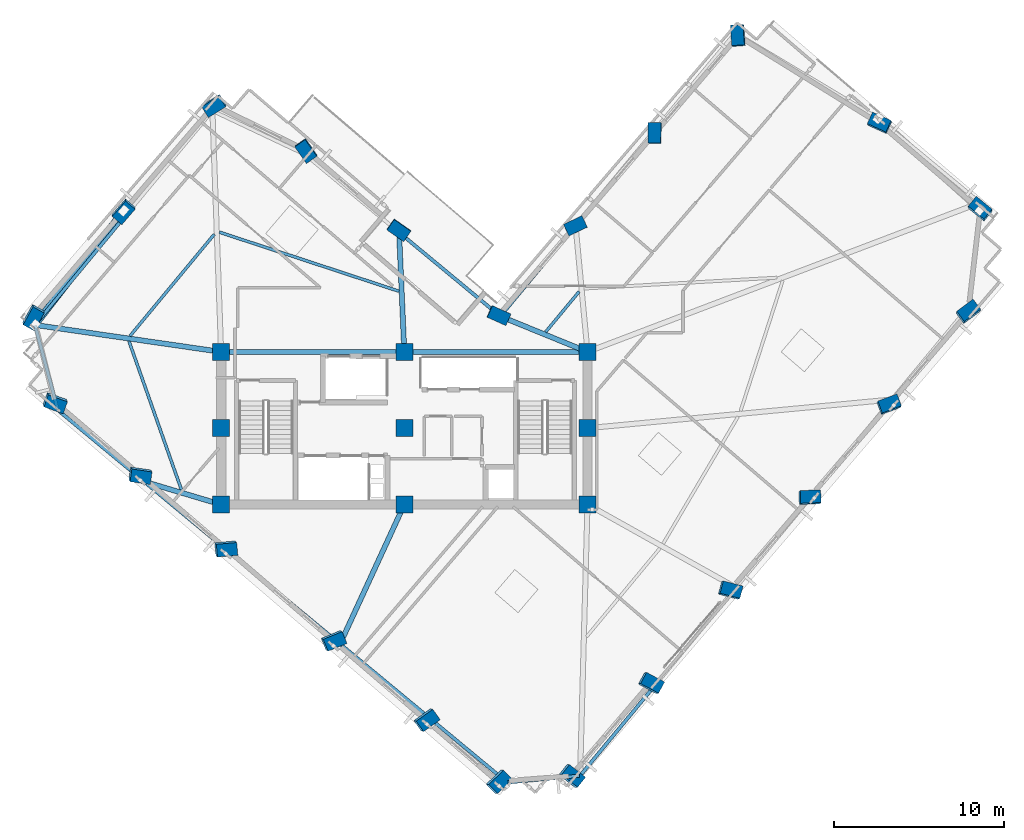
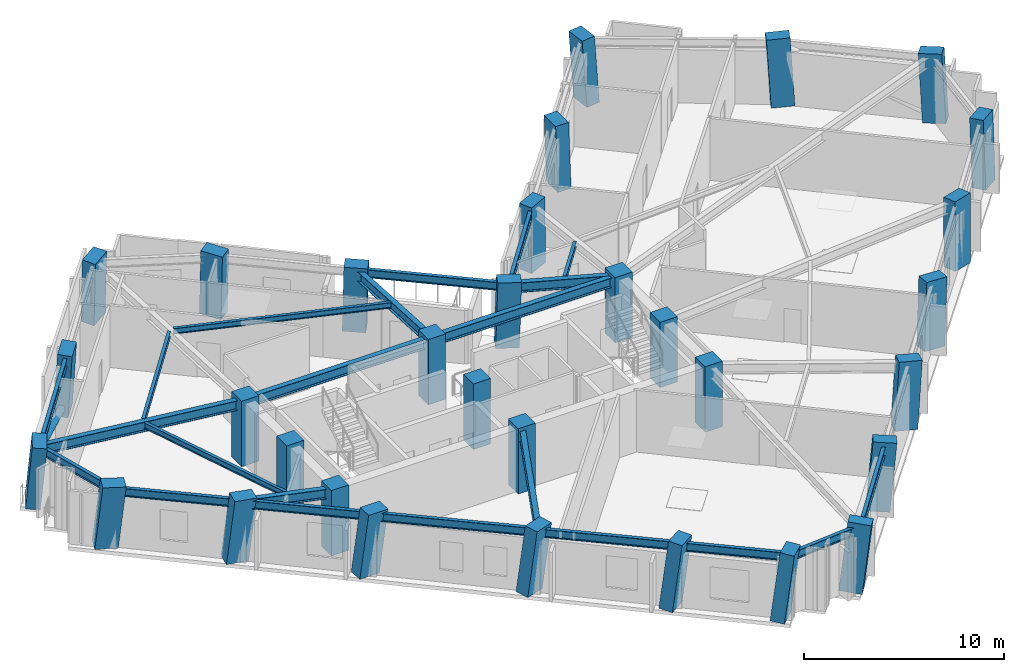
# One storey, part 1 of 12: 32 columns, 22 beams, 1 member.
"""IFC4 building model written with IfcOpenShell, lengths in metres."""

from ifc_helpers import new_model, si_unit, direction, frame, origin, origin_2d, place, context, subcontext, project, spatial, rectangle, hollow_circle, i_section, extrude, material, material_profile, profile_set, type_object, element, save


model = new_model("IFC4")

# Units and contexts
model_context = context("Model", 3, precision=1e-05, world=origin(), true_north=direction((0.0, 1.0)))
body_context = subcontext(model_context, "Body", "Model", "MODEL_VIEW")
ifc_project = project(units=[si_unit("LENGTHUNIT", "METRE"), si_unit("AREAUNIT", "SQUARE_METRE"), si_unit("VOLUMEUNIT", "CUBIC_METRE"), si_unit("PLANEANGLEUNIT", "RADIAN"), si_unit("MASSUNIT", "GRAM", prefix="KILO")], contexts=[model_context])

# Site, building, storey
site_placement = place(None, origin())
site = spatial("IfcSite", under=ifc_project, at=site_placement, CompositionType="ELEMENT")
building_placement = place(site_placement, origin())
building = spatial("IfcBuilding", under=site, at=building_placement, Name="Gaonmaruhae Medical Tower", CompositionType="ELEMENT")
storey_placement = place(building_placement, frame((0.0, 0.0, 235.199951171875)))
storey = spatial("IfcBuildingStorey", under=building, at=storey_placement, Name="L56", CompositionType="ELEMENT", Elevation=235.199951171875)

# Columns
ifc_material_1 = material(Name="Concrete C50/60", Category="concrete")
ifc_material_profile_1 = material_profile(ifc_material_1, rectangle(XDim=1.0, YDim=1.0, at=origin_2d()), Name="RC-1000x1000")
ifc_profile_set_1 = profile_set([ifc_material_profile_1], Name="Concrete C50/60")
column_type_1 = type_object("IfcColumnType", Name="CC-05 Zone 4 Core Column (RC-1000x1000)", PredefinedType="COLUMN", material=ifc_profile_set_1)
for number, where, z_axis, x_axis, name in (
    (1, (14.0, 7.800048828125, 0.0), (0.0, 0.0, 1.0), (1.0, 0.0, 0.0), "L56 Plumb Core Column CC11"),
    (2, (14.0, 12.300048828125, 0.0), (0.0, 0.0, 1.0), (1.0, 0.0, 0.0), "L56 Plumb Core Column CC12"),
    (3, (14.0, 16.800048828125, 0.0), (0.0, 0.0, 1.0), (1.0, 0.0, 0.0), "L56 Plumb Core Column CC13"),
    (4, (24.800048828125, 7.800048828125, 0.0), (0.0, 0.0, 1.0), (1.0, 0.0, 0.0), "L56 Plumb Core Column CC21"),
    (5, (24.800048828125, 12.300048828125, 0.0), (0.0, 0.0, 1.0), (1.0, 0.0, 0.0), "L56 Plumb Core Column CC22"),
    (6, (24.800048828125, 16.800048828125, 0.0), (0.0, 0.0, 1.0), (1.0, 0.0, 0.0), "L56 Plumb Core Column CC23"),
    (7, (35.60009765625, 7.800048828125, 0.0), (0.0, 0.0, 1.0), (1.0, 0.0, 0.0), "L56 Plumb Core Column CC31"),
    (8, (35.60009765625, 12.300048828125, 0.0), (0.0, 0.0, 1.0), (1.0, 0.0, 0.0), "L56 Plumb Core Column CC32"),
    (9, (35.60009765625, 16.800048828125, 0.0), (0.0, 0.0, 1.0), (1.0, 0.0, 0.0), "L56 Plumb Core Column CC33"),
):
    element("IfcColumn", number, at=place(storey_placement, frame(where, z_axis=z_axis, x_axis=x_axis)), inside=storey, type_object=column_type_1, Name=name, PredefinedType="COLUMN", context=body_context, shape_type="SweptSolid", body=[
        extrude(rectangle(XDim=1.0, YDim=1.0, at=origin_2d()), origin(), (0.0, 0.0, 1.0), 4.0),
    ])
ifc_material_profile_2 = material_profile(ifc_material_1, rectangle(XDim=1.199951171875, YDim=0.75, at=origin_2d()), Name="RC-1200x750")
ifc_profile_set_2 = profile_set([ifc_material_profile_2], Name="Concrete C50/60")
column_type_2 = type_object("IfcColumnType", Name="TC-03 Upper Raking Tube Pier Column (RC-1200x750)", PredefinedType="COLUMN", material=ifc_profile_set_2)
column_1_placement = place(storey_placement, frame((34.615234375, -8.2060546875, 0.001953125), z_axis=(0.135519125513, 0.005326343477, 0.990760413362), x_axis=(-0.77723342026, 0.620728856332, 0.102975226868)))
element("IfcColumn", 10, at=column_1_placement, inside=storey, type_object=column_type_2, Name="L56 Perimeter Tube Column S01", PredefinedType="COLUMN", context=body_context, shape_type="SweptSolid", body=[
    extrude(rectangle(XDim=1.199951171875, YDim=0.75, at=origin_2d()), origin(), (0.0, 0.0, 1.0), 4.03369140625),
])
column_2_placement = place(storey_placement, frame((39.30078125, -2.7392578125, 0.001953125), z_axis=(0.113168643504, 0.024454135835, 0.993274812611), x_axis=(-0.874602145866, 0.476805111493, 0.087908885217)))
element("IfcColumn", 11, at=column_2_placement, inside=storey, type_object=column_type_2, Name="L56 Perimeter Tube Column S02", PredefinedType="COLUMN", context=body_context, shape_type="SweptSolid", body=[
    extrude(rectangle(XDim=1.199951171875, YDim=0.75, at=origin_2d()), origin(), (0.0, 0.0, 1.0), 4.0234375),
])
column_3_placement = place(storey_placement, frame((43.986328125, 2.7275390625, 0.001953125), z_axis=(0.090624858315, 0.043640944514, 0.994928441154), x_axis=(-0.962966902478, 0.258577139403, 0.076371511119)))
element("IfcColumn", 12, at=column_3_placement, inside=storey, type_object=column_type_2, Name="L56 Perimeter Tube Column S03", PredefinedType="COLUMN", context=body_context, shape_type="SweptSolid", body=[
    extrude(rectangle(XDim=1.199951171875, YDim=0.75, at=origin_2d()), origin(), (0.0, 0.0, 1.0), 4.0166015625),
])
column_4_placement = place(storey_placement, frame((48.671630859375, 8.1943359375, 0.001953125), z_axis=(0.068067236507, 0.062775145733, 0.995703837691), x_axis=(-0.996940796812, -0.034150749565, 0.070304864389)))
element("IfcColumn", 13, at=column_4_placement, inside=storey, type_object=column_type_2, Name="L56 Perimeter Tube Column S04", PredefinedType="COLUMN", context=body_context, shape_type="SweptSolid", body=[
    extrude(rectangle(XDim=1.199951171875, YDim=0.75, at=origin_2d()), origin(), (0.0, 0.0, 1.0), 4.013671875),
])
column_5_placement = place(storey_placement, frame((53.357177734375, 13.6611328125, 0.001953125), z_axis=(0.045312949129, 0.081928244936, 0.995607603086), x_axis=(-0.935339824004, -0.346534507037, 0.071086208679)))
element("IfcColumn", 14, at=column_5_placement, inside=storey, type_object=column_type_2, Name="L56 Perimeter Tube Column S05", PredefinedType="COLUMN", context=body_context, shape_type="SweptSolid", body=[
    extrude(rectangle(XDim=1.199951171875, YDim=0.75, at=origin_2d()), origin(), (0.0, 0.0, 1.0), 4.013916015625),
])
column_6_placement = place(storey_placement, frame((58.042724609375, 19.1279296875, 0.001953125), z_axis=(0.022543132475, 0.100988372435, 0.994632171112), x_axis=(-0.799671411694, -0.595275745742, 0.078564749414)))
element("IfcColumn", 15, at=column_6_placement, inside=storey, type_object=column_type_2, Name="L56 Perimeter Tube Column S06", PredefinedType="COLUMN", context=body_context, shape_type="SweptSolid", body=[
    extrude(rectangle(XDim=1.199951171875, YDim=0.75, at=origin_2d()), origin(), (0.0, 0.0, 1.0), 4.017822265625),
])
column_7_placement = place(storey_placement, frame((58.74755859375, 25.175048828125, 0.001953125), z_axis=(-0.002369710442, 0.103659641367, 0.994610005592), x_axis=(0.773865953742, -0.629744700477, 0.067476646784)))
element("IfcColumn", 16, at=column_7_placement, inside=storey, type_object=column_type_2, Name="L56 Perimeter Tube Column E01", PredefinedType="COLUMN", context=body_context, shape_type="SweptSolid", body=[
    extrude(rectangle(XDim=1.199951171875, YDim=0.75, at=origin_2d()), origin(), (0.0, 0.0, 1.0), 4.01806640625),
])
column_8_placement = place(storey_placement, frame((52.8251953125, 30.2509765625, 0.001953125), z_axis=(-0.023135441206, 0.07920844476, 0.996589571308), x_axis=(0.910653039281, -0.409667287517, 0.053700610666)))
element("IfcColumn", 17, at=column_8_placement, inside=storey, type_object=column_type_2, Name="L56 Perimeter Tube Column E02", PredefinedType="COLUMN", context=body_context, shape_type="SweptSolid", body=[
    extrude(rectangle(XDim=1.199951171875, YDim=0.75, at=origin_2d()), origin(), (0.0, 0.0, 1.0), 4.010009765625),
])
column_9_placement = place(storey_placement, frame((44.484130859375, 35.424560546875, 0.001953125), z_axis=(-0.04432527086, 0.044630121416, 0.998019750619), x_axis=(0.072242174873, -0.996243007169, 0.047759175416)))
element("IfcColumn", 18, at=column_9_placement, inside=storey, type_object=column_type_2, Name="L56 Perimeter Tube Column E03", PredefinedType="COLUMN", context=body_context, shape_type="SweptSolid", body=[
    extrude(rectangle(XDim=1.199951171875, YDim=0.75, at=origin_2d()), origin(), (0.0, 0.0, 1.0), 4.004150390625),
])
column_10_placement = place(storey_placement, frame((39.57080078125, 29.69189453125, 0.001953125), z_axis=(-0.020455033896, 0.024607100478, 0.999487909979), x_axis=(-0.015334973409, -0.999587193409, 0.024295706693)))
element("IfcColumn", 19, at=column_10_placement, inside=storey, type_object=column_type_2, Name="L56 Perimeter Tube Column EN01", PredefinedType="COLUMN", context=body_context, shape_type="SweptSolid", body=[
    extrude(rectangle(XDim=1.199951171875, YDim=0.75, at=origin_2d()), origin(), (0.0, 0.0, 1.0), 3.998291015625),
])
column_11_placement = place(storey_placement, frame((34.88525390625, 24.22509765625, 0.001953125), z_axis=(0.002382511195, 0.005375922696, 0.999982711398), x_axis=(-0.902595371607, -0.430466795251, 0.004464676979)))
element("IfcColumn", 20, at=column_11_placement, inside=storey, type_object=column_type_2, Name="L56 Perimeter Tube Column EN02", PredefinedType="COLUMN", context=body_context, shape_type="SweptSolid", body=[
    extrude(rectangle(XDim=1.199951171875, YDim=0.75, at=origin_2d()), origin(), (0.0, 0.0, 1.0), 3.996337890625),
])
column_12_placement = place(storey_placement, frame((30.362548828125, 18.9482421875, 0.001953125), z_axis=(0.024365965773, -0.013251665596, 0.999615272528), x_axis=(-0.912212011302, 0.408784133134, 0.027654636777)))
element("IfcColumn", 21, at=column_12_placement, inside=storey, type_object=column_type_2, Name="L56 Perimeter Tube Column KN01", PredefinedType="COLUMN", context=body_context, shape_type="SweptSolid", body=[
    extrude(rectangle(XDim=1.199951171875, YDim=0.75, at=origin_2d()), origin(), (0.0, 0.0, 1.0), 3.997802734375),
])
column_13_placement = place(storey_placement, frame((24.47802734375, 23.99169921875, 0.001953125), z_axis=(0.003662822632, -0.037788120151, 0.999279060976), x_axis=(-0.818469733864, 0.574018178548, 0.024706789453)))
element("IfcColumn", 22, at=column_13_placement, inside=storey, type_object=column_type_2, Name="L56 Perimeter Tube Column NE01", PredefinedType="COLUMN", context=body_context, shape_type="SweptSolid", body=[
    extrude(rectangle(XDim=1.199951171875, YDim=0.75, at=origin_2d()), origin(), (0.0, 0.0, 1.0), 3.999267578125),
])
column_14_placement = place(storey_placement, frame((19.01123046875, 28.67724609375, 0.001953125), z_axis=(-0.015547819473, -0.060484066342, 0.998048066492), x_axis=(-0.573662062266, 0.81808320883, 0.040641133684)))
element("IfcColumn", 23, at=column_14_placement, inside=storey, type_object=column_type_2, Name="L56 Perimeter Tube Column NE02", PredefinedType="COLUMN", context=body_context, shape_type="SweptSolid", body=[
    extrude(rectangle(XDim=1.199951171875, YDim=0.75, at=origin_2d()), origin(), (0.0, 0.0, 1.0), 4.004150390625),
])
column_15_placement = place(storey_placement, frame((13.593505859375, 31.34521484375, 0.001953125), z_axis=(-0.026352323059, -0.082830281023, 0.996215187404), x_axis=(0.849466173401, 0.523499420326, 0.065996796637)))
element("IfcColumn", 24, at=column_15_placement, inside=storey, type_object=column_type_2, Name="L56 Perimeter Tube Column N01", PredefinedType="COLUMN", context=body_context, shape_type="SweptSolid", body=[
    extrude(rectangle(XDim=1.199951171875, YDim=0.75, at=origin_2d()), origin(), (0.0, 0.0, 1.0), 4.011474609375),
])
column_16_placement = place(storey_placement, frame((8.257080078125, 25.119140625, 0.001953125), z_axis=(-0.000425298844, -0.104441244629, 0.994530967613), x_axis=(0.653843741957, 0.752462548774, 0.079299897827)))
element("IfcColumn", 25, at=column_16_placement, inside=storey, type_object=column_type_2, Name="L56 Perimeter Tube Column N02", PredefinedType="COLUMN", context=body_context, shape_type="SweptSolid", body=[
    extrude(rectangle(XDim=1.199951171875, YDim=0.75, at=origin_2d()), origin(), (0.0, 0.0, 1.0), 4.018310546875),
])
column_17_placement = place(storey_placement, frame((2.9208984375, 18.89306640625, 0.001953125), z_axis=(0.025324638917, -0.125896171458, 0.991720130216), x_axis=(0.489502384255, 0.866533533922, 0.097504104519)))
element("IfcColumn", 26, at=column_17_placement, inside=storey, type_object=column_type_2, Name="L56 Perimeter Tube Column N03", PredefinedType="COLUMN", context=body_context, shape_type="SweptSolid", body=[
    extrude(rectangle(XDim=1.199951171875, YDim=0.75, at=origin_2d()), origin(), (0.0, 0.0, 1.0), 4.02978515625),
])
column_18_placement = place(storey_placement, frame((4.1953125, 13.849609375, 0.001953125), z_axis=(0.04604134105, -0.120495035985, 0.991645673221), x_axis=(-0.939600176639, 0.331820483893, 0.083944472888)))
element("IfcColumn", 27, at=column_18_placement, inside=storey, type_object=column_type_2, Name="L56 Perimeter Tube Column W01", PredefinedType="COLUMN", context=body_context, shape_type="SweptSolid", body=[
    extrude(rectangle(XDim=1.199951171875, YDim=0.75, at=origin_2d()), origin(), (0.0, 0.0, 1.0), 4.030029296875),
])
column_19_placement = place(storey_placement, frame((9.20654296875, 9.554443359375, 0.001953125), z_axis=(0.063573347941, -0.099848979686, 0.992969592026), x_axis=(-0.987528780207, 0.137306174889, 0.077031958307)))
element("IfcColumn", 28, at=column_19_placement, inside=storey, type_object=column_type_2, Name="L56 Perimeter Tube Column W02", PredefinedType="COLUMN", context=body_context, shape_type="SweptSolid", body=[
    extrude(rectangle(XDim=1.199951171875, YDim=0.75, at=origin_2d()), origin(), (0.0, 0.0, 1.0), 4.024658203125),
])
column_20_placement = place(storey_placement, frame((14.255859375, 5.226806640625, 0.001953125), z_axis=(0.081274051024, -0.078967543228, 0.99355858194), x_axis=(-0.99283882501, -0.093982271307, 0.07374550991)))
element("IfcColumn", 29, at=column_20_placement, inside=storey, type_object=column_type_2, Name="L56 Perimeter Tube Column W03", PredefinedType="COLUMN", context=body_context, shape_type="SweptSolid", body=[
    extrude(rectangle(XDim=1.199951171875, YDim=0.75, at=origin_2d()), origin(), (0.0, 0.0, 1.0), 4.022216796875),
])
column_21_placement = place(storey_placement, frame((20.595703125, -0.20703125, 0.001953125), z_axis=(0.103396002272, -0.052668855617, 0.993244812905), x_axis=(-0.920587778844, -0.383165405543, 0.075514326052)))
element("IfcColumn", 30, at=column_21_placement, inside=storey, type_object=column_type_2, Name="L56 Perimeter Tube Column W04", PredefinedType="COLUMN", context=body_context, shape_type="SweptSolid", body=[
    extrude(rectangle(XDim=1.199951171875, YDim=0.75, at=origin_2d()), origin(), (0.0, 0.0, 1.0), 4.0234375),
])
column_22_placement = place(storey_placement, frame((26.0625, -4.892578125, 0.001953125), z_axis=(0.122360142689, -0.029999143453, 0.992032281165), x_axis=(-0.807816098541, -0.583704776737, 0.081987099913)))
element("IfcColumn", 31, at=column_22_placement, inside=storey, type_object=column_type_2, Name="L56 Perimeter Tube Column W05", PredefinedType="COLUMN", context=body_context, shape_type="SweptSolid", body=[
    extrude(rectangle(XDim=1.199951171875, YDim=0.75, at=origin_2d()), origin(), (0.0, 0.0, 1.0), 4.0283203125),
])
column_23_placement = place(storey_placement, frame((30.314453125, -8.536865234375, 0.001953125), z_axis=(0.136995546828, -0.012344121711, 0.990494746482), x_axis=(-0.710126385999, -0.698360720078, 0.089514359521)))
element("IfcColumn", 32, at=column_23_placement, inside=storey, type_object=column_type_2, Name="L56 Perimeter Tube Column W06", PredefinedType="COLUMN", context=body_context, shape_type="SweptSolid", body=[
    extrude(rectangle(XDim=1.199951171875, YDim=0.75, at=origin_2d()), origin(), (0.0, 0.0, 1.0), 4.03466796875),
])

# Beams
ifc_material_2 = material(Name="Steel SM355", Category="steel")
ifc_material_profile_3 = material_profile(ifc_material_2, i_section(OverallWidth=0.175048828125, OverallDepth=0.35009765625, WebThickness=0.007080078125, FlangeThickness=0.010986328125, FilletRadius=0.012939453125, at=origin_2d()), Name="H-350x175x7x11")
ifc_profile_set_3 = profile_set([ifc_material_profile_3], Name="Steel SM355")
beam_type_1 = type_object("IfcBeamType", Name="FJ-02 Upper Zone Ward Floor Joist (H-350x175x7x11)", PredefinedType="JOIST", material=ifc_profile_set_3)
beam_1_placement = place(storey_placement, frame((35.1083984375, 20.35546875, 3.60498046875), z_axis=(-0.638094063131, -0.769958418745, 0.0), x_axis=(0.769958418745, -0.638094063131, 0.0)))
element("IfcBeam", 33, at=beam_1_placement, inside=storey, type_object=beam_type_1, Name="L56 Secondary Floor Joist FJ05", PredefinedType="JOIST", context=body_context, shape_type="SweptSolid", body=[
    extrude(i_section(OverallWidth=0.175048828125, OverallDepth=0.35009765625, WebThickness=0.007080078125, FlangeThickness=0.010986328125, FilletRadius=0.012939453125, at=origin_2d()), origin(), (0.0, 0.0, 1.0), 3.09375),
])
beam_2_placement = place(storey_placement, frame((24.48828125, 20.372314453125, 3.60498046875), z_axis=(-0.949935371914, 0.312446458113, 0.0), x_axis=(-0.312446458113, -0.949935371914, 0.0)))
element("IfcBeam", 34, at=beam_2_placement, inside=storey, type_object=beam_type_1, Name="L56 Secondary Floor Joist FJ07", PredefinedType="JOIST", context=body_context, shape_type="SweptSolid", body=[
    extrude(i_section(OverallWidth=0.175048828125, OverallDepth=0.35009765625, WebThickness=0.007080078125, FlangeThickness=0.010986328125, FilletRadius=0.012939453125, at=origin_2d()), origin(), (0.0, 0.0, 1.0), 11.144775390625),
])
beam_3_placement = place(storey_placement, frame((13.59619140625, 23.728271484375, 3.60498046875), z_axis=(-0.638091159914, -0.769960824743, 0.0), x_axis=(0.769960824743, -0.638091159914, 0.0)))
element("IfcBeam", 35, at=beam_3_placement, inside=storey, type_object=beam_type_1, Name="L56 Secondary Floor Joist FJ08", PredefinedType="JOIST", context=body_context, shape_type="SweptSolid", body=[
    extrude(i_section(OverallWidth=0.175048828125, OverallDepth=0.35009765625, WebThickness=0.007080078125, FlangeThickness=0.010986328125, FilletRadius=0.012939453125, at=origin_2d()), origin(), (0.0, 0.0, 1.0), 7.786865234375),
])
beam_4_placement = place(storey_placement, frame((8.56982421875, 17.427490234375, 3.60498046875), z_axis=(0.333020555705, -0.942919566812, 0.0), x_axis=(0.942919566812, 0.333020555705, 0.0)))
element("IfcBeam", 36, at=beam_4_placement, inside=storey, type_object=beam_type_1, Name="L56 Secondary Floor Joist FJ09", PredefinedType="JOIST", context=body_context, shape_type="SweptSolid", body=[
    extrude(i_section(OverallWidth=0.175048828125, OverallDepth=0.35009765625, WebThickness=0.007080078125, FlangeThickness=0.010986328125, FilletRadius=0.012939453125, at=origin_2d()), origin(), (0.0, 0.0, 1.0), 9.3017578125),
])

# Member
ifc_material_3 = material(Name="Steel SM420", Category="steel")
ifc_material_profile_4 = material_profile(ifc_material_3, hollow_circle(Radius=0.203125, WallThickness=0.0126953125, at=origin_2d()), Name="CHS-406.4x12.7")
ifc_profile_set_4 = profile_set([ifc_material_profile_4], Name="Steel SM420")
member_type = type_object("IfcMemberType", Name="PB-02 Perimeter Solid-Bay Tube Brace Mid (CHS-406.4x12.7)", PredefinedType="BRACE", material=ifc_profile_set_4)
member_placement = place(storey_placement, frame((8.257080078125, 25.119384765625, 0.25), z_axis=(-0.572797973484, -0.736924003201, 0.358950546842), x_axis=(0.789541767002, -0.613696829191, 0.0)))
element("IfcMember", 37, at=member_placement, inside=storey, type_object=member_type, Name="L56 Perimeter Tube Solid-Bay Brace N02-N03", PredefinedType="BRACE", context=body_context, shape_type="SweptSolid", body=[
    extrude(hollow_circle(Radius=0.203125, WallThickness=0.0126953125, at=origin_2d()), origin(), (0.0, 0.0, 1.0), 9.137939453125),
])

# Beams
ifc_material_profile_5 = material_profile(ifc_material_3, i_section(OverallWidth=0.300048828125, OverallDepth=0.60009765625, WebThickness=0.011962890625, FlangeThickness=0.02001953125, FilletRadius=0.012939453125, at=origin_2d()), Name="H-600x300x12x20")
ifc_profile_set_5 = profile_set([ifc_material_profile_5], Name="Steel SM420")
beam_type_2 = type_object("IfcBeamType", Name="PG-04 Zone 4 Radial Floor Girder (H-600x300x12x20)", PredefinedType="BEAM", material=ifc_profile_set_5)
for number, where, z_axis, x_axis, name in (
    (38, (14.050048828125, 16.800048828125, 3.47998046875), (1.0, 0.0, 0.0), (0.0, 1.0, 0.0), "L56 Beam BM-L56-CG-N1"),
    (39, (24.85009765625, 16.800048828125, 3.47998046875), (1.0, 0.0, 0.0), (0.0, 1.0, 0.0), "L56 Beam BM-L56-CG-N2"),
):
    element("IfcBeam", number, at=place(storey_placement, frame(where, z_axis=z_axis, x_axis=x_axis)), inside=storey, type_object=beam_type_2, Name=name, PredefinedType="BEAM", context=body_context, shape_type="SweptSolid", body=[
        extrude(i_section(OverallWidth=0.300048828125, OverallDepth=0.60009765625, WebThickness=0.011962890625, FlangeThickness=0.02001953125, FilletRadius=0.012939453125, at=origin_2d()), origin(), (0.0, 0.0, 1.0), 10.699951171875),
    ])
beam_5_placement = place(storey_placement, frame((35.5537109375, 16.81884765625, 3.47998046875), z_axis=(-0.926016410173, 0.377483255378, 0.0), x_axis=(-0.377483255378, -0.926016410173, 0.0)))
element("IfcBeam", 40, at=beam_5_placement, inside=storey, type_object=beam_type_2, Name="L56 Radial Primary Girder KN01", PredefinedType="BEAM", context=body_context, shape_type="SweptSolid", body=[
    extrude(i_section(OverallWidth=0.300048828125, OverallDepth=0.60009765625, WebThickness=0.011962890625, FlangeThickness=0.02001953125, FilletRadius=0.012939453125, at=origin_2d()), origin(), (0.0, 0.0, 1.0), 5.450927734375),
])
beam_6_placement = place(storey_placement, frame((24.7978515625, 16.849853515625, 3.4599609375), z_axis=(-0.04361107648, 0.999048584408, 0.0), x_axis=(-0.999048584408, -0.04361107648, 0.0)))
element("IfcBeam", 41, at=beam_6_placement, inside=storey, type_object=beam_type_2, Name="L56 Radial Primary Girder NE01", PredefinedType="BEAM", context=body_context, shape_type="SweptSolid", body=[
    extrude(i_section(OverallWidth=0.300048828125, OverallDepth=0.60009765625, WebThickness=0.011962890625, FlangeThickness=0.02001953125, FilletRadius=0.012939453125, at=origin_2d()), origin(), (0.0, 0.0, 1.0), 6.947265625),
])
beam_7_placement = place(storey_placement, frame((13.950439453125, 16.80712890625, 3.47998046875), z_axis=(-0.989728391765, 0.142960520892, 0.0), x_axis=(-0.142960520892, -0.989728391765, 0.0)))
element("IfcBeam", 42, at=beam_7_placement, inside=storey, type_object=beam_type_2, Name="L56 Radial Primary Girder N03", PredefinedType="BEAM", context=body_context, shape_type="SweptSolid", body=[
    extrude(i_section(OverallWidth=0.300048828125, OverallDepth=0.60009765625, WebThickness=0.011962890625, FlangeThickness=0.02001953125, FilletRadius=0.012939453125, at=origin_2d()), origin(), (0.0, 0.0, 1.0), 10.990966796875),
])
beam_8_placement = place(storey_placement, frame((13.9521484375, 7.814208984375, 3.47998046875), z_axis=(-0.958345197305, 0.28561246962, 0.0), x_axis=(-0.28561246962, -0.958345197305, 0.0)))
element("IfcBeam", 43, at=beam_8_placement, inside=storey, type_object=beam_type_2, Name="L56 Radial Primary Girder W02", PredefinedType="BEAM", context=body_context, shape_type="SweptSolid", body=[
    extrude(i_section(OverallWidth=0.300048828125, OverallDepth=0.60009765625, WebThickness=0.011962890625, FlangeThickness=0.02001953125, FilletRadius=0.012939453125, at=origin_2d()), origin(), (0.0, 0.0, 1.0), 4.634765625),
])
beam_9_placement = place(storey_placement, frame((24.779052734375, 7.754638671875, 3.47998046875), z_axis=(-0.418553004651, -0.908192370755, 0.0), x_axis=(0.908192370755, -0.418553004651, 0.0)))
element("IfcBeam", 44, at=beam_9_placement, inside=storey, type_object=beam_type_2, Name="L56 Radial Primary Girder W04", PredefinedType="BEAM", context=body_context, shape_type="SweptSolid", body=[
    extrude(i_section(OverallWidth=0.300048828125, OverallDepth=0.60009765625, WebThickness=0.011962890625, FlangeThickness=0.02001953125, FilletRadius=0.012939453125, at=origin_2d()), origin(), (0.0, 0.0, 1.0), 8.9501953125),
])
ifc_material_profile_6 = material_profile(ifc_material_2, i_section(OverallWidth=0.199951171875, OverallDepth=0.5, WebThickness=0.010009765625, FlangeThickness=0.01611328125, FilletRadius=0.012939453125, at=origin_2d()), Name="H-500x200x10x16")
ifc_profile_set_6 = profile_set([ifc_material_profile_6], Name="Steel SM355")
beam_type_3 = type_object("IfcBeamType", Name="SP-02 Upper Perimeter Spandrel Beam (H-500x200x10x16)", PredefinedType="SPANDREL", material=ifc_profile_set_6)
beam_10_placement = place(storey_placement, frame((35.1875, -8.15380859375, 3.530029296875), z_axis=(0.638087569109, 0.769963800545, 0.0), x_axis=(-0.769963800545, 0.638087569109, 0.0)))
element("IfcBeam", 45, at=beam_10_placement, inside=storey, type_object=beam_type_3, Name="L56 Perimeter Spandrel Beam S01-S02", PredefinedType="SPANDREL", context=body_context, shape_type="SweptSolid", body=[
    extrude(i_section(OverallWidth=0.199951171875, OverallDepth=0.5, WebThickness=0.010009765625, FlangeThickness=0.01611328125, FilletRadius=0.012939453125, at=origin_2d()), origin(), (0.0, 0.0, 1.0), 7.1201171875),
])
beam_11_placement = place(storey_placement, frame((34.869140625, 24.2158203125, 3.530029296875), z_axis=(-0.638105757512, -0.769948727014, 0.0), x_axis=(0.769948727014, -0.638105757512, 0.0)))
element("IfcBeam", 46, at=beam_11_placement, inside=storey, type_object=beam_type_3, Name="L56 Perimeter Spandrel Beam EN02-KN01", PredefinedType="SPANDREL", context=body_context, shape_type="SweptSolid", body=[
    extrude(i_section(OverallWidth=0.199951171875, OverallDepth=0.5, WebThickness=0.010009765625, FlangeThickness=0.01611328125, FilletRadius=0.012939453125, at=origin_2d()), origin(), (0.0, 0.0, 1.0), 6.8701171875),
])
beam_12_placement = place(storey_placement, frame((30.42919921875, 18.9208984375, 3.510009765625), z_axis=(-0.769961241199, 0.638090657392, 0.0), x_axis=(-0.638090657392, -0.769961241199, 0.0)))
element("IfcBeam", 47, at=beam_12_placement, inside=storey, type_object=beam_type_3, Name="L56 Perimeter Spandrel Beam KN01-NE01", PredefinedType="SPANDREL", context=body_context, shape_type="SweptSolid", body=[
    extrude(i_section(OverallWidth=0.199951171875, OverallDepth=0.5, WebThickness=0.010009765625, FlangeThickness=0.01611328125, FilletRadius=0.012939453125, at=origin_2d()), origin(), (0.0, 0.0, 1.0), 7.670166015625),
])
beam_13_placement = place(storey_placement, frame((8.229736328125, 24.66845703125, 3.530029296875), z_axis=(-0.638091207817, -0.769960785044, 0.0), x_axis=(0.769960785044, -0.638091207817, 0.0)))
element("IfcBeam", 48, at=beam_13_placement, inside=storey, type_object=beam_type_3, Name="L56 Perimeter Spandrel Beam N02-N03", PredefinedType="SPANDREL", context=body_context, shape_type="SweptSolid", body=[
    extrude(i_section(OverallWidth=0.199951171875, OverallDepth=0.5, WebThickness=0.010009765625, FlangeThickness=0.01611328125, FilletRadius=0.012939453125, at=origin_2d()), origin(), (0.0, 0.0, 1.0), 8.1201171875),
])
beam_14_placement = place(storey_placement, frame((3.033447265625, 18.346923828125, 3.530029296875), z_axis=(0.261007466431, -0.965336781889, 0.0), x_axis=(0.965336781889, 0.261007466431, 0.0)))
element("IfcBeam", 49, at=beam_14_placement, inside=storey, type_object=beam_type_3, Name="L56 Perimeter Spandrel Beam N03-W01", PredefinedType="SPANDREL", context=body_context, shape_type="SweptSolid", body=[
    extrude(i_section(OverallWidth=0.199951171875, OverallDepth=0.5, WebThickness=0.010009765625, FlangeThickness=0.01611328125, FilletRadius=0.012939453125, at=origin_2d()), origin(), (0.0, 0.0, 1.0), 5.1220703125),
])
beam_15_placement = place(storey_placement, frame((4.41162109375, 13.338134765625, 3.530029296875), z_axis=(0.769964793487, -0.638086370949, 0.0), x_axis=(0.638086370949, 0.769964793487, 0.0)))
element("IfcBeam", 50, at=beam_15_placement, inside=storey, type_object=beam_type_3, Name="L56 Perimeter Spandrel Beam W01-W02", PredefinedType="SPANDREL", context=body_context, shape_type="SweptSolid", body=[
    extrude(i_section(OverallWidth=0.199951171875, OverallDepth=0.5, WebThickness=0.010009765625, FlangeThickness=0.01611328125, FilletRadius=0.012939453125, at=origin_2d()), origin(), (0.0, 0.0, 1.0), 6.52001953125),
])
beam_16_placement = place(storey_placement, frame((9.493408203125, 9.126708984375, 3.530029296875), z_axis=(0.769966788512, -0.638083963588, 0.0), x_axis=(0.638083963588, 0.769966788512, 0.0)))
element("IfcBeam", 51, at=beam_16_placement, inside=storey, type_object=beam_type_3, Name="L56 Perimeter Spandrel Beam W02-W03", PredefinedType="SPANDREL", context=body_context, shape_type="SweptSolid", body=[
    extrude(i_section(OverallWidth=0.199951171875, OverallDepth=0.5, WebThickness=0.010009765625, FlangeThickness=0.01611328125, FilletRadius=0.012939453125, at=origin_2d()), origin(), (0.0, 0.0, 1.0), 6.56982421875),
])
beam_17_placement = place(storey_placement, frame((14.613525390625, 4.883544921875, 3.530029296875), z_axis=(0.769960644023, -0.638091377983, 0.0), x_axis=(0.638091377983, 0.769960644023, 0.0)))
element("IfcBeam", 52, at=beam_17_placement, inside=storey, type_object=beam_type_3, Name="L56 Perimeter Spandrel Beam W03-W04", PredefinedType="SPANDREL", context=body_context, shape_type="SweptSolid", body=[
    extrude(i_section(OverallWidth=0.199951171875, OverallDepth=0.5, WebThickness=0.010009765625, FlangeThickness=0.01611328125, FilletRadius=0.012939453125, at=origin_2d()), origin(), (0.0, 0.0, 1.0), 8.27001953125),
])
beam_18_placement = place(storey_placement, frame((21.042724609375, -0.444580078125, 3.530029296875), z_axis=(0.769963800545, -0.638087569109, 0.0), x_axis=(0.638087569109, 0.769963800545, 0.0)))
element("IfcBeam", 53, at=beam_18_placement, inside=storey, type_object=beam_type_3, Name="L56 Perimeter Spandrel Beam W04-W05", PredefinedType="SPANDREL", context=body_context, shape_type="SweptSolid", body=[
    extrude(i_section(OverallWidth=0.199951171875, OverallDepth=0.5, WebThickness=0.010009765625, FlangeThickness=0.01611328125, FilletRadius=0.012939453125, at=origin_2d()), origin(), (0.0, 0.0, 1.0), 7.1201171875),
])
beam_19_placement = place(storey_placement, frame((26.58642578125, -5.0390625, 3.530029296875), z_axis=(0.769969409258, -0.638080801158, 0.0), x_axis=(0.638080801158, 0.769969409258, 0.0)))
element("IfcBeam", 54, at=beam_19_placement, inside=storey, type_object=beam_type_3, Name="L56 Perimeter Spandrel Beam W05-W06", PredefinedType="SPANDREL", context=body_context, shape_type="SweptSolid", body=[
    extrude(i_section(OverallWidth=0.199951171875, OverallDepth=0.5, WebThickness=0.010009765625, FlangeThickness=0.01611328125, FilletRadius=0.012939453125, at=origin_2d()), origin(), (0.0, 0.0, 1.0), 5.52001953125),
])
beam_20_placement = place(storey_placement, frame((30.9072265625, -8.5830078125, 3.530029296875), z_axis=(0.995642261774, 0.093254954662, 0.0), x_axis=(-0.093254954662, 0.995642261774, 0.0)))
element("IfcBeam", 55, at=beam_20_placement, inside=storey, type_object=beam_type_3, Name="L56 Perimeter Spandrel Beam W06-S01", PredefinedType="SPANDREL", context=body_context, shape_type="SweptSolid", body=[
    extrude(i_section(OverallWidth=0.199951171875, OverallDepth=0.5, WebThickness=0.010009765625, FlangeThickness=0.01611328125, FilletRadius=0.012939453125, at=origin_2d()), origin(), (0.0, 0.0, 1.0), 4.2333984375),
])

save(model, "model.ifc")
